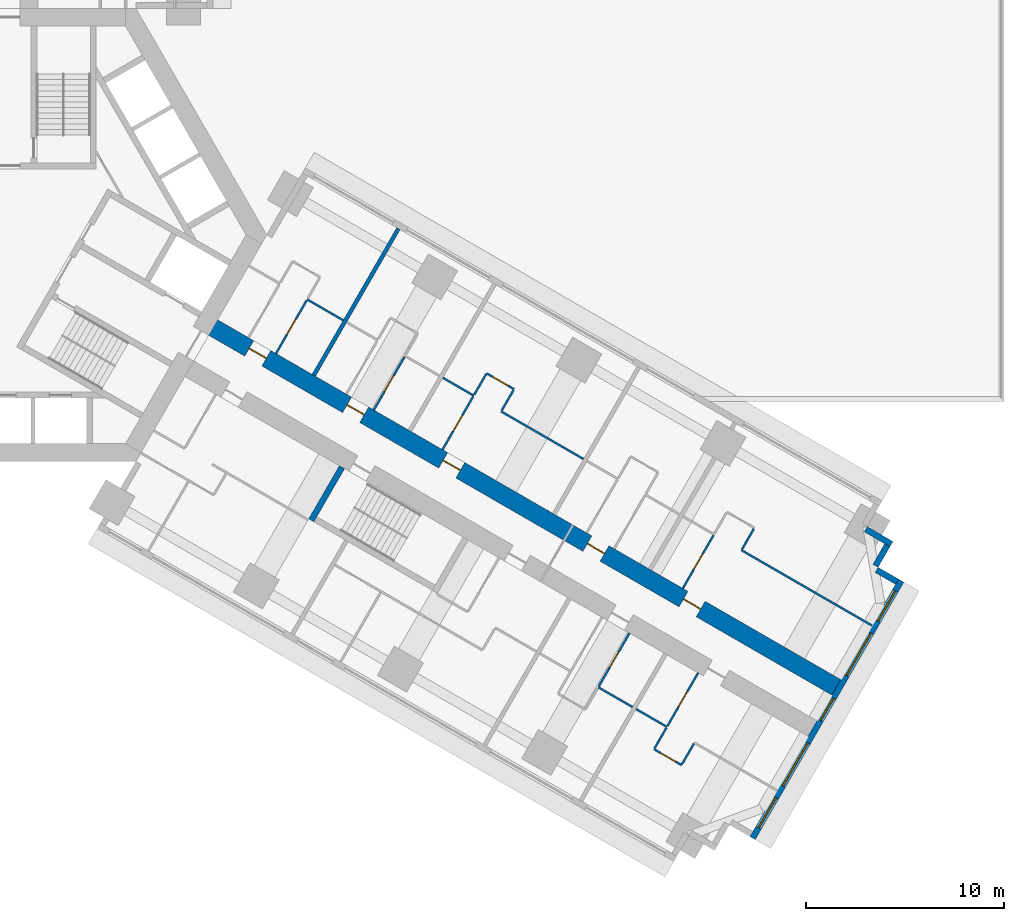
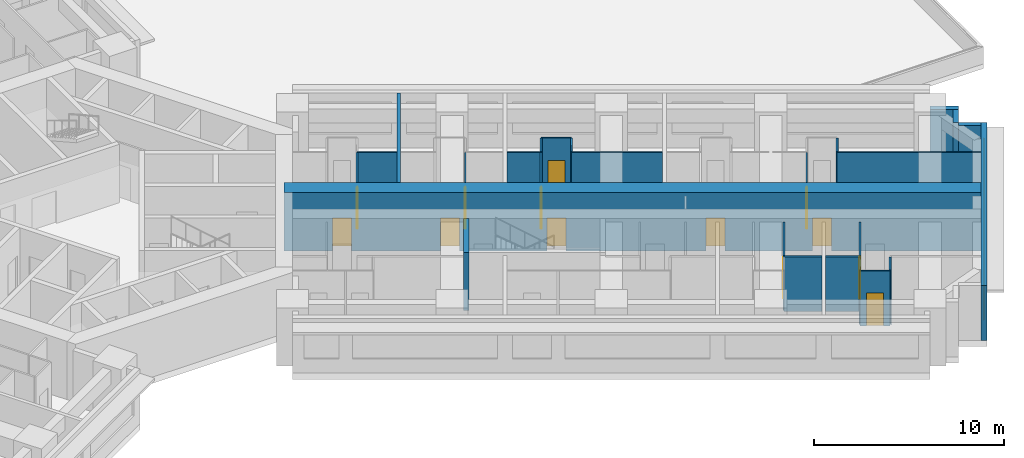
# One storey, part 12 of 18: 26 walls, 13 doors, 5 windows, 18 openings.
"""IFC4 building model written with IfcOpenShell, lengths in metres."""

from ifc_helpers import new_model, si_unit, direction, frame, frame_2d, origin, place, context, subcontext, project, spatial, rectangle, extrude, material, layer, layer_set, type_object, element, fill, save


model = new_model("IFC4")

# Units and contexts
model_context = context("Model", 3, precision=1e-05, world=origin(), true_north=direction((0.0, 1.0)))
body_context = subcontext(model_context, "Body", "Model", "MODEL_VIEW")
ifc_project = project(units=[si_unit("LENGTHUNIT", "METRE"), si_unit("AREAUNIT", "SQUARE_METRE"), si_unit("VOLUMEUNIT", "CUBIC_METRE"), si_unit("PLANEANGLEUNIT", "RADIAN"), si_unit("MASSUNIT", "GRAM", prefix="KILO")], contexts=[model_context])

# Site, building, storey
site_placement = place(None, origin())
site = spatial("IfcSite", under=ifc_project, at=site_placement, CompositionType="ELEMENT")
building_placement = place(site_placement, origin())
building = spatial("IfcBuilding", under=site, at=building_placement, Name="Impinga Residences", CompositionType="ELEMENT")
storey_placement = place(building_placement, frame((0.0, 0.0, 26.0)))
storey = spatial("IfcBuildingStorey", under=building, at=storey_placement, Name="L05", CompositionType="ELEMENT", Elevation=26.0)

# Wall, openings, doors
ifc_material_1 = material(Name="Concrete C70/85", Category="concrete")
ifc_layer_1 = layer(ifc_material_1, 0.89990234375)
ifc_layer_set_1 = layer_set([ifc_layer_1], Name="Concrete C70/85")
wall_type_1 = type_object("IfcWallType", Name="BW1 corridor buttress wall, L05 to L22 900", PredefinedType="SHEAR", material=ifc_layer_set_1)
wall_1_placement = place(storey_placement, frame((10.1103515625, -4.451416015625, 0.0), z_axis=(0.0, 0.0, 1.0), x_axis=(0.866025284237, -0.500000207062, 0.0)))
wall_1 = element("IfcWall", 1, at=wall_1_placement, inside=storey, type_object=wall_type_1, Name="Corridor wall BW1 EC L05", PredefinedType="SHEAR", context=body_context, shape_type="SweptSolid", body=[
    extrude(rectangle(XDim=36.75, YDim=0.89990234375, at=frame_2d((18.375, 0.0))), origin(), (0.0, 0.0, 1.0), 3.75),
])
opening_1_placement = place(wall_1_placement, frame((2.550048828125, 0.0, 0.0)))
opening_1 = element("IfcOpeningElement", 2, at=opening_1_placement, cuts=wall_1, Name="Opening D1", PredefinedType="OPENING", context=body_context, shape_type="SweptSolid", body=[
    extrude(rectangle(XDim=1.0, YDim=2.10009765625, at=frame_2d((0.5, 1.050048828125))), frame((0.0, 0.4599609375, 0.0), z_axis=(0.0, -1.0, 0.0), x_axis=(1.0, 0.0, 0.0)), (0.0, 0.0, 1.0), 0.919921875),
])
opening_2_placement = place(wall_1_placement, frame((8.25, 0.0, 0.0)))
opening_2 = element("IfcOpeningElement", 3, at=opening_2_placement, cuts=wall_1, Name="Opening D1", PredefinedType="OPENING", context=body_context, shape_type="SweptSolid", body=[
    extrude(rectangle(XDim=1.0, YDim=2.10009765625, at=frame_2d((0.5, 1.050048828125))), frame((0.0, 0.4599609375, 0.0), z_axis=(0.0, -1.0, 0.0), x_axis=(1.0, 0.0, 0.0)), (0.0, 0.0, 1.0), 0.919921875),
])
opening_3_placement = place(wall_1_placement, frame((13.85009765625, 0.0, 0.0)))
opening_3 = element("IfcOpeningElement", 4, at=opening_3_placement, cuts=wall_1, Name="Opening D1", PredefinedType="OPENING", context=body_context, shape_type="SweptSolid", body=[
    extrude(rectangle(XDim=1.0, YDim=2.10009765625, at=frame_2d((0.5, 1.050048828125))), frame((0.0, 0.4599609375, 0.0), z_axis=(0.0, -1.0, 0.0), x_axis=(1.0, 0.0, 0.0)), (0.0, 0.0, 1.0), 0.919921875),
])
opening_4_placement = place(wall_1_placement, frame((22.25, 0.0, 0.0)))
opening_4 = element("IfcOpeningElement", 5, at=opening_4_placement, cuts=wall_1, Name="Opening D1", PredefinedType="OPENING", context=body_context, shape_type="SweptSolid", body=[
    extrude(rectangle(XDim=1.0, YDim=2.10009765625, at=frame_2d((0.5, 1.050048828125))), frame((0.0, 0.4599609375, 0.0), z_axis=(0.0, -1.0, 0.0), x_axis=(1.0, 0.0, 0.0)), (0.0, 0.0, 1.0), 0.919921875),
])
opening_5_placement = place(wall_1_placement, frame((27.85009765625, 0.0, 0.0)))
opening_5 = element("IfcOpeningElement", 6, at=opening_5_placement, cuts=wall_1, Name="Opening D1", PredefinedType="OPENING", context=body_context, shape_type="SweptSolid", body=[
    extrude(rectangle(XDim=1.0, YDim=2.10009765625, at=frame_2d((0.5, 1.050048828125))), frame((0.0, 0.4599609375, 0.0), z_axis=(0.0, -1.0, 0.0), x_axis=(1.0, 0.0, 0.0)), (0.0, 0.0, 1.0), 0.919921875),
])
ifc_material_2 = material(Name="Timber door set", Category="wood")
door_type_1 = type_object("IfcDoorType", Name="D1 apartment entrance door 1000x2100", OperationType="SINGLE_SWING_LEFT", PredefinedType="DOOR", material=ifc_material_2)
door_1_placement = place(opening_1_placement, origin())
door_1 = element("IfcDoor", 7, at=door_1_placement, inside=storey, type_object=door_type_1, Name="Apartment L05-EA1 entrance", OperationType="SINGLE_SWING_LEFT", OverallHeight=2.10009765625, OverallWidth=1.0, PredefinedType="DOOR", context=body_context, shape_type="SweptSolid", body=[
    extrude(rectangle(XDim=1.0, YDim=2.10009765625, at=frame_2d((0.5, 1.050048828125))), frame((0.0, 0.02490234375, 0.0), z_axis=(0.0, -1.0, 0.0), x_axis=(1.0, 0.0, 0.0)), (0.0, 0.0, 1.0), 0.050048828125),
])
fill(opening_1, door_1)
door_2_placement = place(opening_2_placement, origin())
door_2 = element("IfcDoor", 8, at=door_2_placement, inside=storey, type_object=door_type_1, Name="Apartment L05-EA2 entrance", OperationType="SINGLE_SWING_LEFT", OverallHeight=2.10009765625, OverallWidth=1.0, PredefinedType="DOOR", context=body_context, shape_type="SweptSolid", body=[
    extrude(rectangle(XDim=1.0, YDim=2.10009765625, at=frame_2d((0.5, 1.050048828125))), frame((0.0, 0.02490234375, 0.0), z_axis=(0.0, -1.0, 0.0), x_axis=(1.0, 0.0, 0.0)), (0.0, 0.0, 1.0), 0.050048828125),
])
fill(opening_2, door_2)
door_3_placement = place(opening_3_placement, origin())
door_3 = element("IfcDoor", 9, at=door_3_placement, inside=storey, type_object=door_type_1, Name="Apartment L05-EA3 entrance", OperationType="SINGLE_SWING_LEFT", OverallHeight=2.10009765625, OverallWidth=1.0, PredefinedType="DOOR", context=body_context, shape_type="SweptSolid", body=[
    extrude(rectangle(XDim=1.0, YDim=2.10009765625, at=frame_2d((0.5, 1.050048828125))), frame((0.0, 0.02490234375, 0.0), z_axis=(0.0, -1.0, 0.0), x_axis=(1.0, 0.0, 0.0)), (0.0, 0.0, 1.0), 0.050048828125),
])
fill(opening_3, door_3)
door_4_placement = place(opening_4_placement, origin())
door_4 = element("IfcDoor", 10, at=door_4_placement, inside=storey, type_object=door_type_1, Name="Apartment L05-EA4 entrance", OperationType="SINGLE_SWING_RIGHT", OverallHeight=2.10009765625, OverallWidth=1.0, PredefinedType="DOOR", context=body_context, shape_type="SweptSolid", body=[
    extrude(rectangle(XDim=1.0, YDim=2.10009765625, at=frame_2d((0.5, 1.050048828125))), frame((0.0, 0.02490234375, 0.0), z_axis=(0.0, -1.0, 0.0), x_axis=(1.0, 0.0, 0.0)), (0.0, 0.0, 1.0), 0.050048828125),
])
fill(opening_4, door_4)
door_5_placement = place(opening_5_placement, origin())
door_5 = element("IfcDoor", 11, at=door_5_placement, inside=storey, type_object=door_type_1, Name="Apartment L05-EA5 entrance", OperationType="SINGLE_SWING_RIGHT", OverallHeight=2.10009765625, OverallWidth=1.0, PredefinedType="DOOR", context=body_context, shape_type="SweptSolid", body=[
    extrude(rectangle(XDim=1.0, YDim=2.10009765625, at=frame_2d((0.5, 1.050048828125))), frame((0.0, 0.02490234375, 0.0), z_axis=(0.0, -1.0, 0.0), x_axis=(1.0, 0.0, 0.0)), (0.0, 0.0, 1.0), 0.050048828125),
])
fill(opening_5, door_5)

# Walls
ifc_material_3 = material(Name="Terracotta rainscreen on blockwork", Category="masonry")
ifc_layer_2 = layer(ifc_material_3, 0.300048828125)
ifc_layer_set_2 = layer_set([ifc_layer_2], Name="EW1 external wall, terracotta rainscreen on blockwork 300")
wall_type_2 = type_object("IfcWallType", Name="EW1 external wall, terracotta rainscreen on blockwork 300", PredefinedType="SOLIDWALL", material=ifc_layer_set_2)
wall_2_placement = place(storey_placement, frame((43.42333984375, -14.8515625, 0.0), z_axis=(0.0, 0.0, 1.0), x_axis=(0.866031096941, -0.499990139034, 0.0)))
element("IfcWall", 12, at=wall_2_placement, inside=storey, type_object=wall_type_2, Name="External wall EW1 L05", PredefinedType="SOLIDWALL", context=body_context, shape_type="SweptSolid", body=[
    extrude(rectangle(XDim=1.5, YDim=0.300048828125, at=frame_2d((0.75, 0.0))), origin(), (0.0, 0.0, 1.0), 3.530029296875),
])
wall_3_placement = place(storey_placement, frame((44.517578125, -15.65625, 0.0), z_axis=(0.0, 0.0, 1.0), x_axis=(-0.500033551112, -0.866006032174, 0.0)))
element("IfcWall", 13, at=wall_3_placement, inside=storey, type_object=wall_type_2, Name="External wall EW1 L05", PredefinedType="SOLIDWALL", context=body_context, shape_type="SweptSolid", body=[
    extrude(rectangle(XDim=1.2001953125, YDim=0.300048828125, at=frame_2d((0.60009765625, 0.0))), origin(), (0.0, 0.0, 1.0), 3.530029296875),
])
wall_4_placement = place(storey_placement, frame((43.976806640625, -16.903076171875, 0.0), z_axis=(0.0, 0.0, 1.0), x_axis=(0.866059708757, -0.499940577336, 0.0)))
element("IfcWall", 14, at=wall_4_placement, inside=storey, type_object=wall_type_2, Name="External wall EW1 L05", PredefinedType="SOLIDWALL", context=body_context, shape_type="SweptSolid", body=[
    extrude(rectangle(XDim=1.195068359375, YDim=0.300048828125, at=frame_2d((0.59765625, 0.0))), origin(), (0.0, 0.0, 1.0), 3.530029296875),
])

# Wall, openings, windows
wall_5_placement = place(storey_placement, frame((45.216552734375, -17.445556640625, 0.0), z_axis=(0.0, 0.0, 1.0), x_axis=(-0.499997186618, -0.866027028085, 0.0)))
wall_5 = element("IfcWall", 15, at=wall_5_placement, inside=storey, type_object=wall_type_2, Name="External wall EW1 L05", PredefinedType="SOLIDWALL", context=body_context, shape_type="SweptSolid", body=[
    extrude(rectangle(XDim=15.0, YDim=0.300048828125, at=frame_2d((7.5, 0.0))), origin(), (0.0, 0.0, 1.0), 3.530029296875),
])
opening_6_placement = place(wall_5_placement, frame((0.60009765625, 0.0, 0.89990234375)))
opening_6 = element("IfcOpeningElement", 16, at=opening_6_placement, cuts=wall_5, Name="Opening W1", PredefinedType="OPENING", context=body_context, shape_type="SweptSolid", body=[
    extrude(rectangle(XDim=1.75, YDim=2.050048828125, at=frame_2d((0.875, 1.02490234375))), frame((0.0, 0.159912109375, 0.0), z_axis=(0.0, -1.0, 0.0), x_axis=(1.0, 0.0, 0.0)), (0.0, 0.0, 1.0), 0.320068359375),
])
opening_7_placement = place(wall_5_placement, frame((3.050048828125, 0.0, 0.89990234375)))
opening_7 = element("IfcOpeningElement", 17, at=opening_7_placement, cuts=wall_5, Name="Opening W2", PredefinedType="OPENING", context=body_context, shape_type="SweptSolid", body=[
    extrude(rectangle(XDim=2.5, YDim=2.050048828125, at=frame_2d((1.25, 1.02490234375))), frame((0.0, 0.159912109375, 0.0), z_axis=(0.0, -1.0, 0.0), x_axis=(1.0, 0.0, 0.0)), (0.0, 0.0, 1.0), 0.320068359375),
])
opening_8_placement = place(wall_5_placement, frame((6.85009765625, 0.0, 0.89990234375)))
opening_8 = element("IfcOpeningElement", 18, at=opening_8_placement, cuts=wall_5, Name="Opening WE1", PredefinedType="OPENING", context=body_context, shape_type="SweptSolid", body=[
    extrude(rectangle(XDim=1.300048828125, YDim=2.050048828125, at=frame_2d((0.64990234375, 1.02490234375))), frame((0.0, 0.159912109375, 0.0), z_axis=(0.0, -1.0, 0.0), x_axis=(1.0, 0.0, 0.0)), (0.0, 0.0, 1.0), 0.320068359375),
])
opening_9_placement = place(wall_5_placement, frame((9.449951171875, 0.0, 0.89990234375)))
opening_9 = element("IfcOpeningElement", 19, at=opening_9_placement, cuts=wall_5, Name="Opening W2", PredefinedType="OPENING", context=body_context, shape_type="SweptSolid", body=[
    extrude(rectangle(XDim=2.5, YDim=2.050048828125, at=frame_2d((1.25, 1.02490234375))), frame((0.0, 0.159912109375, 0.0), z_axis=(0.0, -1.0, 0.0), x_axis=(1.0, 0.0, 0.0)), (0.0, 0.0, 1.0), 0.320068359375),
])
opening_10_placement = place(wall_5_placement, frame((12.64990234375, 0.0, 0.89990234375)))
opening_10 = element("IfcOpeningElement", 20, at=opening_10_placement, cuts=wall_5, Name="Opening W1", PredefinedType="OPENING", context=body_context, shape_type="SweptSolid", body=[
    extrude(rectangle(XDim=1.75, YDim=2.050048828125, at=frame_2d((0.875, 1.02490234375))), frame((0.0, 0.159912109375, 0.0), z_axis=(0.0, -1.0, 0.0), x_axis=(1.0, 0.0, 0.0)), (0.0, 0.0, 1.0), 0.320068359375),
])
ifc_material_4 = material(Name="Aluminium window, clear double glazing", Category="aluminium")
window_type_1 = type_object("IfcWindowType", Name="W1 ribbon window 1750x2050", PartitioningType="SINGLE_PANEL", PredefinedType="WINDOW", material=ifc_material_4)
window_1_placement = place(opening_6_placement, origin())
window_1 = element("IfcWindow", 21, at=window_1_placement, inside=storey, type_object=window_type_1, Name="Window L05", OverallHeight=2.050048828125, OverallWidth=1.75, PartitioningType="SINGLE_PANEL", PredefinedType="WINDOW", context=body_context, shape_type="SweptSolid", body=[
    extrude(rectangle(XDim=1.75, YDim=2.050048828125, at=frame_2d((0.875, 1.02490234375))), frame((0.0, 0.030029296875, 0.0), z_axis=(0.0, -1.0, 0.0), x_axis=(1.0, 0.0, 0.0)), (0.0, 0.0, 1.0), 0.06005859375),
])
fill(opening_6, window_1)
window_2_placement = place(opening_10_placement, origin())
window_2 = element("IfcWindow", 22, at=window_2_placement, inside=storey, type_object=window_type_1, Name="Window L05", OverallHeight=2.050048828125, OverallWidth=1.75, PartitioningType="SINGLE_PANEL", PredefinedType="WINDOW", context=body_context, shape_type="SweptSolid", body=[
    extrude(rectangle(XDim=1.75, YDim=2.050048828125, at=frame_2d((0.875, 1.02490234375))), frame((0.0, 0.030029296875, 0.0), z_axis=(0.0, -1.0, 0.0), x_axis=(1.0, 0.0, 0.0)), (0.0, 0.0, 1.0), 0.06005859375),
])
fill(opening_10, window_2)
window_type_2 = type_object("IfcWindowType", Name="W2 ribbon window 2500x2050", PartitioningType="SINGLE_PANEL", PredefinedType="WINDOW", material=ifc_material_4)
window_3_placement = place(opening_7_placement, origin())
window_3 = element("IfcWindow", 23, at=window_3_placement, inside=storey, type_object=window_type_2, Name="Window L05", OverallHeight=2.050048828125, OverallWidth=2.5, PartitioningType="SINGLE_PANEL", PredefinedType="WINDOW", context=body_context, shape_type="SweptSolid", body=[
    extrude(rectangle(XDim=2.5, YDim=2.050048828125, at=frame_2d((1.25, 1.02490234375))), frame((0.0, 0.030029296875, 0.0), z_axis=(0.0, -1.0, 0.0), x_axis=(1.0, 0.0, 0.0)), (0.0, 0.0, 1.0), 0.06005859375),
])
fill(opening_7, window_3)
window_4_placement = place(opening_9_placement, origin())
window_4 = element("IfcWindow", 24, at=window_4_placement, inside=storey, type_object=window_type_2, Name="Window L05", OverallHeight=2.050048828125, OverallWidth=2.5, PartitioningType="SINGLE_PANEL", PredefinedType="WINDOW", context=body_context, shape_type="SweptSolid", body=[
    extrude(rectangle(XDim=2.5, YDim=2.050048828125, at=frame_2d((1.25, 1.02490234375))), frame((0.0, 0.030029296875, 0.0), z_axis=(0.0, -1.0, 0.0), x_axis=(1.0, 0.0, 0.0)), (0.0, 0.0, 1.0), 0.06005859375),
])
fill(opening_9, window_4)
window_type_3 = type_object("IfcWindowType", Name="WE1 corridor window 1300x2050", PartitioningType="SINGLE_PANEL", PredefinedType="WINDOW", material=ifc_material_4)
window_5_placement = place(opening_8_placement, origin())
window_5 = element("IfcWindow", 25, at=window_5_placement, inside=storey, type_object=window_type_3, Name="Window L05", OverallHeight=2.050048828125, OverallWidth=1.300048828125, PartitioningType="SINGLE_PANEL", PredefinedType="WINDOW", context=body_context, shape_type="SweptSolid", body=[
    extrude(rectangle(XDim=1.300048828125, YDim=2.050048828125, at=frame_2d((0.64990234375, 1.02490234375))), frame((0.0, 0.030029296875, 0.0), z_axis=(0.0, -1.0, 0.0), x_axis=(1.0, 0.0, 0.0)), (0.0, 0.0, 1.0), 0.06005859375),
])
fill(opening_8, window_5)

# Wall
ifc_material_5 = material(Name="Gypsum board on steel studs", Category="steel")
ifc_layer_3 = layer(ifc_material_5, 0.10009765625)
ifc_layer_set_3 = layer_set([ifc_layer_3], Name="Gypsum board on steel studs")
wall_type_3 = type_object("IfcWallType", Name="IP1 partition 100", PredefinedType="PARTITIONING", material=ifc_layer_set_3)
wall_6_placement = place(storey_placement, frame((15.244384765625, -3.2587890625, 0.0), z_axis=(0.0, 0.0, 1.0), x_axis=(0.866038466041, -0.499977374825, 0.0)))
element("IfcWall", 26, at=wall_6_placement, inside=storey, type_object=wall_type_3, Name="Partition L05-EA1:DIV1", PredefinedType="PARTITIONING", context=body_context, shape_type="SweptSolid", body=[
    extrude(rectangle(XDim=2.10009765625, YDim=0.10009765625, at=frame_2d((1.050048828125, 0.0))), origin(), (0.0, 0.0, 1.0), 3.530029296875),
])

# Wall, opening, door
wall_7_placement = place(storey_placement, frame((13.66943359375, -5.98681640625, 0.0), z_axis=(0.0, 0.0, 1.0), x_axis=(0.500026960575, 0.86600983753, 0.0)))
wall_7 = element("IfcWall", 27, at=wall_7_placement, inside=storey, type_object=wall_type_3, Name="Partition L05-EA1:IB2", PredefinedType="PARTITIONING", context=body_context, shape_type="SweptSolid", body=[
    extrude(rectangle(XDim=3.099853515625, YDim=0.10009765625, at=frame_2d((1.5498046875, 0.0))), origin(), (0.0, 0.0, 1.0), 3.530029296875),
])
opening_11_placement = place(wall_7_placement, frame((1.10009765625, 0.0, 0.0)))
opening_11 = element("IfcOpeningElement", 28, at=opening_11_placement, cuts=wall_7, Name="Opening D2", PredefinedType="OPENING", context=body_context, shape_type="SweptSolid", body=[
    extrude(rectangle(XDim=0.89990234375, YDim=2.10009765625, at=frame_2d((0.449951171875, 1.050048828125))), frame((0.0, 0.06005859375, 0.0), z_axis=(0.0, -1.0, 0.0), x_axis=(1.0, 0.0, 0.0)), (0.0, 0.0, 1.0), 0.1201171875),
])
door_type_2 = type_object("IfcDoorType", Name="D2 internal door 900x2100", OperationType="SINGLE_SWING_LEFT", PredefinedType="DOOR", material=ifc_material_2)
door_6_placement = place(opening_11_placement, origin())
door_6 = element("IfcDoor", 29, at=door_6_placement, inside=storey, type_object=door_type_2, Name="Apartment L05-EA1 WC door", OperationType="SINGLE_SWING_LEFT", OverallHeight=2.10009765625, OverallWidth=0.89990234375, PredefinedType="DOOR", context=body_context, shape_type="SweptSolid", body=[
    extrude(rectangle(XDim=0.89990234375, YDim=2.10009765625, at=frame_2d((0.449951171875, 1.050048828125))), frame((0.0, 0.02490234375, 0.0), z_axis=(0.0, -1.0, 0.0), x_axis=(1.0, 0.0, 0.0)), (0.0, 0.0, 1.0), 0.050048828125),
])
fill(opening_11, door_6)

wall_8_placement = place(storey_placement, frame((18.605712890625, -8.8369140625, 0.0), z_axis=(0.0, 0.0, 1.0), x_axis=(0.49999285859, 0.86602952684, 0.0)))
wall_8 = element("IfcWall", 30, at=wall_8_placement, inside=storey, type_object=wall_type_3, Name="Partition L05-EA2:IB2", PredefinedType="PARTITIONING", context=body_context, shape_type="SweptSolid", body=[
    extrude(rectangle(XDim=3.10009765625, YDim=0.10009765625, at=frame_2d((1.550048828125, 0.0))), origin(), (0.0, 0.0, 1.0), 3.530029296875),
])
opening_12_placement = place(wall_8_placement, frame((1.10009765625, 0.0, 0.0)))
opening_12 = element("IfcOpeningElement", 31, at=opening_12_placement, cuts=wall_8, Name="Opening D2", PredefinedType="OPENING", context=body_context, shape_type="SweptSolid", body=[
    extrude(rectangle(XDim=0.89990234375, YDim=2.10009765625, at=frame_2d((0.449951171875, 1.050048828125))), frame((0.0, 0.06005859375, 0.0), z_axis=(0.0, -1.0, 0.0), x_axis=(1.0, 0.0, 0.0)), (0.0, 0.0, 1.0), 0.1201171875),
])
door_7_placement = place(opening_12_placement, origin())
door_7 = element("IfcDoor", 32, at=door_7_placement, inside=storey, type_object=door_type_2, Name="Apartment L05-EA2 WC door", OperationType="SINGLE_SWING_LEFT", OverallHeight=2.10009765625, OverallWidth=0.89990234375, PredefinedType="DOOR", context=body_context, shape_type="SweptSolid", body=[
    extrude(rectangle(XDim=0.89990234375, YDim=2.10009765625, at=frame_2d((0.449951171875, 1.050048828125))), frame((0.0, 0.02490234375, 0.0), z_axis=(0.0, -1.0, 0.0), x_axis=(1.0, 0.0, 0.0)), (0.0, 0.0, 1.0), 0.050048828125),
])
fill(opening_12, door_7)

# Walls
wall_9_placement = place(storey_placement, frame((22.086181640625, -7.208740234375, 0.0), z_axis=(0.0, 0.0, 1.0), x_axis=(0.865989075817, -0.500062916607, 0.0)))
element("IfcWall", 33, at=wall_9_placement, inside=storey, type_object=wall_type_3, Name="Partition L05-EA3:DIV0", PredefinedType="PARTITIONING", context=body_context, shape_type="SweptSolid", body=[
    extrude(rectangle(XDim=1.800048828125, YDim=0.10009765625, at=frame_2d((0.89990234375, 0.0))), origin(), (0.0, 0.0, 1.0), 3.530029296875),
])
wall_10_placement = place(storey_placement, frame((25.030517578125, -8.908935546875, 0.0), z_axis=(0.0, 0.0, 1.0), x_axis=(0.866037363387, -0.499979284789, 0.0)))
element("IfcWall", 34, at=wall_10_placement, inside=storey, type_object=wall_type_3, Name="Partition L05-EA3:DIV1", PredefinedType="PARTITIONING", context=body_context, shape_type="SweptSolid", body=[
    extrude(rectangle(XDim=4.800048828125, YDim=0.10009765625, at=frame_2d((2.39990234375, 0.0))), origin(), (0.0, 0.0, 1.0), 3.530029296875),
])

# Wall, opening, door
wall_11_placement = place(storey_placement, frame((24.294921875, -6.98291015625, 0.0), z_axis=(0.0, 0.0, 1.0), x_axis=(0.866028054938, -0.499995408039, 0.0)))
wall_11 = element("IfcWall", 35, at=wall_11_placement, inside=storey, type_object=wall_type_3, Name="Partition L05-EA3:STRIP", PredefinedType="PARTITIONING", context=body_context, shape_type="SweptSolid", body=[
    extrude(rectangle(XDim=1.60009765625, YDim=0.10009765625, at=frame_2d((0.800048828125, 0.0))), origin(), (0.0, 0.0, 1.0), 3.530029296875),
])
opening_13_placement = place(wall_11_placement, frame((0.35009765625, 0.0, 0.0)))
opening_13 = element("IfcOpeningElement", 36, at=opening_13_placement, cuts=wall_11, Name="Opening D2", PredefinedType="OPENING", context=body_context, shape_type="SweptSolid", body=[
    extrude(rectangle(XDim=0.89990234375, YDim=2.10009765625, at=frame_2d((0.449951171875, 1.050048828125))), frame((0.0, 0.06005859375, 0.0), z_axis=(0.0, -1.0, 0.0), x_axis=(1.0, 0.0, 0.0)), (0.0, 0.0, 1.0), 0.1201171875),
])
door_8_placement = place(opening_13_placement, origin())
door_8 = element("IfcDoor", 37, at=door_8_placement, inside=storey, type_object=door_type_2, Name="Apartment L05-EA3 room door", OperationType="SINGLE_SWING_LEFT", OverallHeight=2.10009765625, OverallWidth=0.89990234375, PredefinedType="DOOR", context=body_context, shape_type="SweptSolid", body=[
    extrude(rectangle(XDim=0.89990234375, YDim=2.10009765625, at=frame_2d((0.449951171875, 1.050048828125))), frame((0.0, 0.02490234375, 0.0), z_axis=(0.0, -1.0, 0.0), x_axis=(1.0, 0.0, 0.0)), (0.0, 0.0, 1.0), 0.050048828125),
])
fill(opening_13, door_8)

# Walls
wall_12_placement = place(storey_placement, frame((23.669921875, -8.0654296875, 0.0), z_axis=(0.0, 0.0, 1.0), x_axis=(0.50012165622, 0.865955154139, 0.0)))
element("IfcWall", 38, at=wall_12_placement, inside=storey, type_object=wall_type_3, Name="Partition L05-EA3:SE0", PredefinedType="PARTITIONING", context=body_context, shape_type="SweptSolid", body=[
    extrude(rectangle(XDim=1.199951171875, YDim=0.10009765625, at=frame_2d((0.60009765625, 0.0))), origin(), (0.0, 0.0, 1.0), 3.530029296875),
])
wall_13_placement = place(storey_placement, frame((25.0556640625, -8.865478515625, 0.0), z_axis=(0.0, 0.0, 1.0), x_axis=(0.499969057507, 0.866043267704, 0.0)))
element("IfcWall", 39, at=wall_13_placement, inside=storey, type_object=wall_type_3, Name="Partition L05-EA3:SE1", PredefinedType="PARTITIONING", context=body_context, shape_type="SweptSolid", body=[
    extrude(rectangle(XDim=1.19970703125, YDim=0.10009765625, at=frame_2d((0.599853515625, 0.0))), origin(), (0.0, 0.0, 1.0), 3.530029296875),
])

# Wall, opening, door
wall_14_placement = place(storey_placement, frame((22.06982421875, -10.8369140625, 0.0), z_axis=(0.0, 0.0, 1.0), x_axis=(0.49999285859, 0.86602952684, 0.0)))
wall_14 = element("IfcWall", 40, at=wall_14_placement, inside=storey, type_object=wall_type_3, Name="Partition L05-EA3:IB1", PredefinedType="PARTITIONING", context=body_context, shape_type="SweptSolid", body=[
    extrude(rectangle(XDim=3.10009765625, YDim=0.10009765625, at=frame_2d((1.550048828125, 0.0))), origin(), (0.0, 0.0, 1.0), 3.530029296875),
])
opening_14_placement = place(wall_14_placement, frame((1.10009765625, 0.0, 0.0)))
opening_14 = element("IfcOpeningElement", 41, at=opening_14_placement, cuts=wall_14, Name="Opening D2", PredefinedType="OPENING", context=body_context, shape_type="SweptSolid", body=[
    extrude(rectangle(XDim=0.89990234375, YDim=2.10009765625, at=frame_2d((0.449951171875, 1.050048828125))), frame((0.0, 0.06005859375, 0.0), z_axis=(0.0, -1.0, 0.0), x_axis=(1.0, 0.0, 0.0)), (0.0, 0.0, 1.0), 0.1201171875),
])
door_9_placement = place(opening_14_placement, origin())
door_9 = element("IfcDoor", 42, at=door_9_placement, inside=storey, type_object=door_type_2, Name="Apartment L05-EA3 bathroom door", OperationType="SINGLE_SWING_LEFT", OverallHeight=2.10009765625, OverallWidth=0.89990234375, PredefinedType="DOOR", context=body_context, shape_type="SweptSolid", body=[
    extrude(rectangle(XDim=0.89990234375, YDim=2.10009765625, at=frame_2d((0.449951171875, 1.050048828125))), frame((0.0, 0.02490234375, 0.0), z_axis=(0.0, -1.0, 0.0), x_axis=(1.0, 0.0, 0.0)), (0.0, 0.0, 1.0), 0.050048828125),
])
fill(opening_14, door_9)

# Walls
wall_15_placement = place(storey_placement, frame((37.155029296875, -15.908935546875, 0.0), z_axis=(0.0, 0.0, 1.0), x_axis=(0.866036335692, -0.499981064903, 0.0)))
element("IfcWall", 43, at=wall_15_placement, inside=storey, type_object=wall_type_3, Name="Partition L05-EA5:DIV1", PredefinedType="PARTITIONING", context=body_context, shape_type="SweptSolid", body=[
    extrude(rectangle(XDim=7.599853515625, YDim=0.10009765625, at=frame_2d((3.7998046875, 0.0))), origin(), (0.0, 0.0, 1.0), 3.530029296875),
])
wall_16_placement = place(storey_placement, frame((37.179931640625, -15.865478515625, 0.0), z_axis=(0.0, 0.0, 1.0), x_axis=(0.50012165622, 0.865955154139, 0.0)))
element("IfcWall", 44, at=wall_16_placement, inside=storey, type_object=wall_type_3, Name="Partition L05-EA5:SE1", PredefinedType="PARTITIONING", context=body_context, shape_type="SweptSolid", body=[
    extrude(rectangle(XDim=1.199951171875, YDim=0.10009765625, at=frame_2d((0.60009765625, 0.0))), origin(), (0.0, 0.0, 1.0), 3.530029296875),
])

# Wall, opening, door
wall_17_placement = place(storey_placement, frame((34.1943359375, -17.8369140625, 0.0), z_axis=(0.0, 0.0, 1.0), x_axis=(0.49999285859, 0.86602952684, 0.0)))
wall_17 = element("IfcWall", 45, at=wall_17_placement, inside=storey, type_object=wall_type_3, Name="Partition L05-EA5:IB1", PredefinedType="PARTITIONING", context=body_context, shape_type="SweptSolid", body=[
    extrude(rectangle(XDim=3.10009765625, YDim=0.10009765625, at=frame_2d((1.550048828125, 0.0))), origin(), (0.0, 0.0, 1.0), 3.530029296875),
])
opening_15_placement = place(wall_17_placement, frame((1.10009765625, 0.0, 0.0)))
opening_15 = element("IfcOpeningElement", 46, at=opening_15_placement, cuts=wall_17, Name="Opening D2", PredefinedType="OPENING", context=body_context, shape_type="SweptSolid", body=[
    extrude(rectangle(XDim=0.89990234375, YDim=2.10009765625, at=frame_2d((0.449951171875, 1.050048828125))), frame((0.0, 0.06005859375, 0.0), z_axis=(0.0, -1.0, 0.0), x_axis=(1.0, 0.0, 0.0)), (0.0, 0.0, 1.0), 0.1201171875),
])
door_10_placement = place(opening_15_placement, origin())
door_10 = element("IfcDoor", 47, at=door_10_placement, inside=storey, type_object=door_type_2, Name="Apartment L05-EA5 bathroom door", OperationType="SINGLE_SWING_LEFT", OverallHeight=2.10009765625, OverallWidth=0.89990234375, PredefinedType="DOOR", context=body_context, shape_type="SweptSolid", body=[
    extrude(rectangle(XDim=0.89990234375, YDim=2.10009765625, at=frame_2d((0.449951171875, 1.050048828125))), frame((0.0, 0.02490234375, 0.0), z_axis=(0.0, -1.0, 0.0), x_axis=(1.0, 0.0, 0.0)), (0.0, 0.0, 1.0), 0.050048828125),
])
fill(opening_15, door_10)

# Wall
wall_18_placement = place(storey_placement, frame((29.93017578125, -22.82275390625, 0.0), z_axis=(0.0, 0.0, 1.0), x_axis=(0.866010750942, -0.50002537861, 0.0)))
element("IfcWall", 48, at=wall_18_placement, inside=storey, type_object=wall_type_3, Name="Partition L05-EF3:DIV1", PredefinedType="PARTITIONING", context=body_context, shape_type="SweptSolid", body=[
    extrude(rectangle(XDim=2.0, YDim=0.10009765625, at=frame_2d((1.0, 0.0))), origin(), (0.0, 0.0, 1.0), 3.530029296875),
])

# Wall, opening, door
wall_19_placement = place(storey_placement, frame((31.505126953125, -20.0947265625, 0.0), z_axis=(0.0, 0.0, 1.0), x_axis=(-0.500026960575, -0.86600983753, 0.0)))
wall_19 = element("IfcWall", 49, at=wall_19_placement, inside=storey, type_object=wall_type_3, Name="Partition L05-EF3:IB2", PredefinedType="PARTITIONING", context=body_context, shape_type="SweptSolid", body=[
    extrude(rectangle(XDim=3.099853515625, YDim=0.10009765625, at=frame_2d((1.5498046875, 0.0))), origin(), (0.0, 0.0, 1.0), 3.530029296875),
])
opening_16_placement = place(wall_19_placement, frame((1.10009765625, 0.0, 0.0)))
opening_16 = element("IfcOpeningElement", 50, at=opening_16_placement, cuts=wall_19, Name="Opening D2", PredefinedType="OPENING", context=body_context, shape_type="SweptSolid", body=[
    extrude(rectangle(XDim=0.89990234375, YDim=2.10009765625, at=frame_2d((0.449951171875, 1.050048828125))), frame((0.0, 0.06005859375, 0.0), z_axis=(0.0, -1.0, 0.0), x_axis=(1.0, 0.0, 0.0)), (0.0, 0.0, 1.0), 0.1201171875),
])
door_11_placement = place(opening_16_placement, origin())
door_11 = element("IfcDoor", 51, at=door_11_placement, inside=storey, type_object=door_type_2, Name="Apartment L05-EF3 WC door", OperationType="SINGLE_SWING_LEFT", OverallHeight=2.10009765625, OverallWidth=0.89990234375, PredefinedType="DOOR", context=body_context, shape_type="SweptSolid", body=[
    extrude(rectangle(XDim=0.89990234375, YDim=2.10009765625, at=frame_2d((0.449951171875, 1.050048828125))), frame((0.0, 0.02490234375, 0.0), z_axis=(0.0, -1.0, 0.0), x_axis=(1.0, 0.0, 0.0)), (0.0, 0.0, 1.0), 0.050048828125),
])
fill(opening_16, door_11)

# Wall
wall_20_placement = place(storey_placement, frame((31.835205078125, -23.922607421875, 0.0), z_axis=(0.0, 0.0, 1.0), x_axis=(0.865989075817, -0.500062916607, 0.0)))
element("IfcWall", 52, at=wall_20_placement, inside=storey, type_object=wall_type_3, Name="Partition L05-EF4:DIV0", PredefinedType="PARTITIONING", context=body_context, shape_type="SweptSolid", body=[
    extrude(rectangle(XDim=1.800048828125, YDim=0.10009765625, at=frame_2d((0.89990234375, 0.0))), origin(), (0.0, 0.0, 1.0), 3.530029296875),
])

# Wall, opening, door
wall_21_placement = place(storey_placement, frame((32.744140625, -25.948486328125, 0.0), z_axis=(0.0, 0.0, 1.0), x_axis=(0.866028054938, -0.499995408039, 0.0)))
wall_21 = element("IfcWall", 53, at=wall_21_placement, inside=storey, type_object=wall_type_3, Name="Partition L05-EF4:STRIP", PredefinedType="PARTITIONING", context=body_context, shape_type="SweptSolid", body=[
    extrude(rectangle(XDim=1.60009765625, YDim=0.10009765625, at=frame_2d((0.800048828125, 0.0))), origin(), (0.0, 0.0, 1.0), 3.530029296875),
])
opening_17_placement = place(wall_21_placement, frame((0.35009765625, 0.0, 0.0)))
opening_17 = element("IfcOpeningElement", 54, at=opening_17_placement, cuts=wall_21, Name="Opening D2", PredefinedType="OPENING", context=body_context, shape_type="SweptSolid", body=[
    extrude(rectangle(XDim=0.89990234375, YDim=2.10009765625, at=frame_2d((0.449951171875, 1.050048828125))), frame((0.0, 0.06005859375, 0.0), z_axis=(0.0, -1.0, 0.0), x_axis=(1.0, 0.0, 0.0)), (0.0, 0.0, 1.0), 0.1201171875),
])
door_12_placement = place(opening_17_placement, origin())
door_12 = element("IfcDoor", 55, at=door_12_placement, inside=storey, type_object=door_type_2, Name="Apartment L05-EF4 room door", OperationType="SINGLE_SWING_LEFT", OverallHeight=2.10009765625, OverallWidth=0.89990234375, PredefinedType="DOOR", context=body_context, shape_type="SweptSolid", body=[
    extrude(rectangle(XDim=0.89990234375, YDim=2.10009765625, at=frame_2d((0.449951171875, 1.050048828125))), frame((0.0, 0.02490234375, 0.0), z_axis=(0.0, -1.0, 0.0), x_axis=(1.0, 0.0, 0.0)), (0.0, 0.0, 1.0), 0.050048828125),
])
fill(opening_17, door_12)

# Walls
for number, where, z_axis, x_axis, name in (
    (56, (33.369140625, -24.865966796875, 0.0), (0.0, 0.0, 1.0), (-0.500033551112, -0.866006032174, 0.0), "Partition L05-EF4:SE0"),
    (57, (34.7548828125, -25.666015625, 0.0), (0.0, 0.0, 1.0), (-0.500033551112, -0.866006032174, 0.0), "Partition L05-EF4:SE1"),
):
    element("IfcWall", number, at=place(storey_placement, frame(where, z_axis=z_axis, x_axis=x_axis)), inside=storey, type_object=wall_type_3, Name=name, PredefinedType="PARTITIONING", context=body_context, shape_type="SweptSolid", body=[
        extrude(rectangle(XDim=1.2001953125, YDim=0.10009765625, at=frame_2d((0.60009765625, 0.0))), origin(), (0.0, 0.0, 1.0), 3.530029296875),
    ])

# Wall, opening, door
wall_22_placement = place(storey_placement, frame((34.96923828125, -22.0947265625, 0.0), z_axis=(0.0, 0.0, 1.0), x_axis=(-0.500026960575, -0.86600983753, 0.0)))
wall_22 = element("IfcWall", 58, at=wall_22_placement, inside=storey, type_object=wall_type_3, Name="Partition L05-EF4:IB1", PredefinedType="PARTITIONING", context=body_context, shape_type="SweptSolid", body=[
    extrude(rectangle(XDim=3.099853515625, YDim=0.10009765625, at=frame_2d((1.5498046875, 0.0))), origin(), (0.0, 0.0, 1.0), 3.530029296875),
])
opening_18_placement = place(wall_22_placement, frame((1.10009765625, 0.0, 0.0)))
opening_18 = element("IfcOpeningElement", 59, at=opening_18_placement, cuts=wall_22, Name="Opening D2", PredefinedType="OPENING", context=body_context, shape_type="SweptSolid", body=[
    extrude(rectangle(XDim=0.89990234375, YDim=2.10009765625, at=frame_2d((0.449951171875, 1.050048828125))), frame((0.0, 0.06005859375, 0.0), z_axis=(0.0, -1.0, 0.0), x_axis=(1.0, 0.0, 0.0)), (0.0, 0.0, 1.0), 0.1201171875),
])
door_13_placement = place(opening_18_placement, origin())
door_13 = element("IfcDoor", 60, at=door_13_placement, inside=storey, type_object=door_type_2, Name="Apartment L05-EF4 bathroom door", OperationType="SINGLE_SWING_LEFT", OverallHeight=2.10009765625, OverallWidth=0.89990234375, PredefinedType="DOOR", context=body_context, shape_type="SweptSolid", body=[
    extrude(rectangle(XDim=0.89990234375, YDim=2.10009765625, at=frame_2d((0.449951171875, 1.050048828125))), frame((0.0, 0.02490234375, 0.0), z_axis=(0.0, -1.0, 0.0), x_axis=(1.0, 0.0, 0.0)), (0.0, 0.0, 1.0), 0.050048828125),
])
fill(opening_18, door_13)

# Walls
ifc_material_6 = material(Name="Concrete blockwork", Category="masonry")
ifc_layer_4 = layer(ifc_material_6, 0.199951171875)
ifc_layer_set_4 = layer_set([ifc_layer_4], Name="PW1 party wall between apartments 200")
wall_type_4 = type_object("IfcWallType", Name="PW1 party wall between apartments 200", PredefinedType="SOLIDWALL", material=ifc_layer_set_4)
wall_23_placement = place(storey_placement, frame((15.57470703125, -7.0869140625, 0.0), z_axis=(0.0, 0.0, 1.0), x_axis=(0.500011643316, 0.866018681408, 0.0)))
element("IfcWall", 61, at=wall_23_placement, inside=storey, type_object=wall_type_4, Name="Party wall between apartments L05-EA1:PARTY", PredefinedType="SOLIDWALL", context=body_context, shape_type="SweptSolid", body=[
    extrude(rectangle(XDim=8.550048828125, YDim=0.199951171875, at=frame_2d((4.27490234375, 0.0))), origin(), (0.0, 0.0, 1.0), 3.530029296875),
])
ifc_material_7 = material(Name="Concrete C60/75", Category="concrete")
ifc_layer_5 = layer(ifc_material_7, 0.300048828125)
ifc_layer_set_5 = layer_set([ifc_layer_5], Name="Concrete C60/75")
wall_type_5 = type_object("IfcWallType", Name="SE1 wing stair enclosure wall 300", PredefinedType="SOLIDWALL", material=ifc_layer_set_5)
wall_24_placement = place(storey_placement, frame((16.9990234375, -11.7197265625, 0.0), z_axis=(0.0, 0.0, 1.0), x_axis=(-0.499967891604, -0.866043940782, 0.0)))
element("IfcWall", 62, at=wall_24_placement, inside=storey, type_object=wall_type_5, Name="Stair enclosure wall SE1 E END0 L05", PredefinedType="SOLIDWALL", context=body_context, shape_type="SweptSolid", body=[
    extrude(rectangle(XDim=3.099853515625, YDim=0.300048828125, at=frame_2d((1.5498046875, 0.0))), origin(), (0.0, 0.0, 1.0), 3.75),
])

save(model, "model.ifc")
